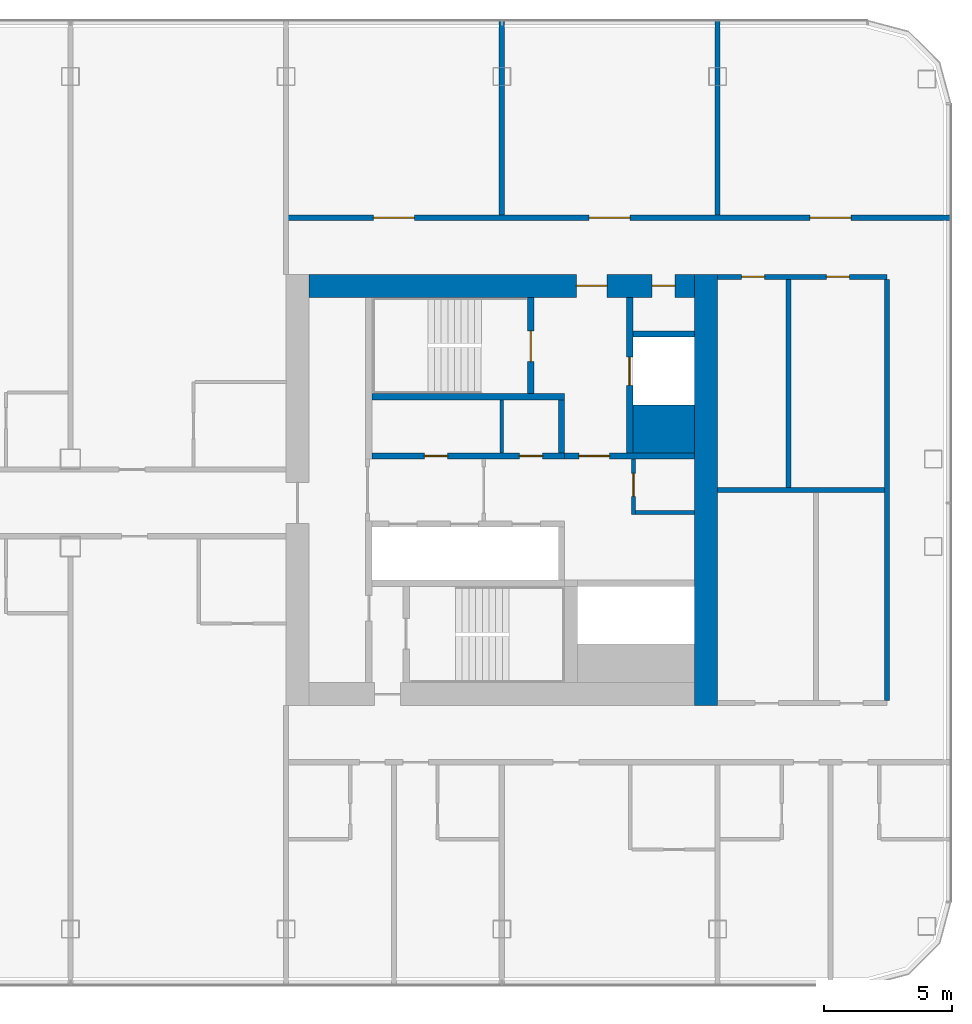
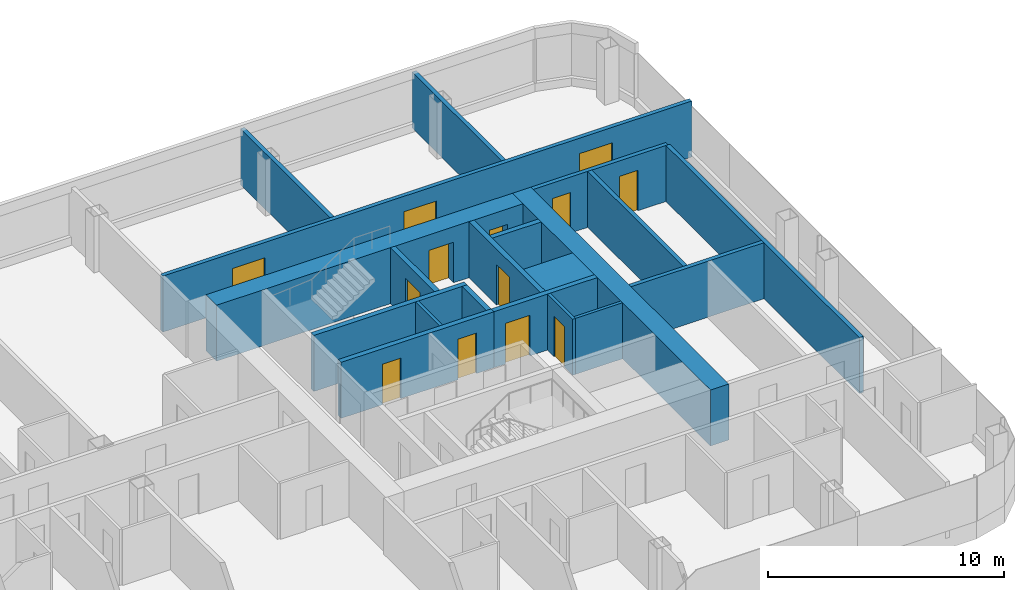
# One storey, part 17 of 26: 20 walls, 13 doors, 13 openings.
"""IFC4 building model written with IfcOpenShell, lengths in metres."""

from ifc_helpers import new_model, si_unit, direction, frame, frame_2d, origin, place, context, subcontext, project, spatial, rectangle, extrude, material, layer, layer_set, type_object, element, fill, save


model = new_model("IFC4")

# Units and contexts
model_context = context("Model", 3, precision=1e-05, world=origin(), true_north=direction((0.0, 1.0)))
body_context = subcontext(model_context, "Body", "Model", "MODEL_VIEW")
ifc_project = project(units=[si_unit("LENGTHUNIT", "METRE"), si_unit("AREAUNIT", "SQUARE_METRE"), si_unit("VOLUMEUNIT", "CUBIC_METRE"), si_unit("PLANEANGLEUNIT", "RADIAN"), si_unit("MASSUNIT", "GRAM", prefix="KILO")], contexts=[model_context])

# Site, building, storey
site_placement = place(None, origin())
site = spatial("IfcSite", under=ifc_project, at=site_placement, CompositionType="ELEMENT")
building_placement = place(site_placement, origin())
building = spatial("IfcBuilding", under=site, at=building_placement, Name="Hakoniwa Tower and Hamabe Station Hall", CompositionType="ELEMENT")
storey_placement = place(building_placement, frame((0.0, 0.0, 172.60009765625)))
storey = spatial("IfcBuildingStorey", under=building, at=storey_placement, Name="L49", CompositionType="ELEMENT", Elevation=172.60009765625)

# Wall, opening, door
ifc_material_1 = material(Name="Gypsum board partition")
ifc_layer_1 = layer(ifc_material_1, 0.14990234375)
ifc_layer_set_1 = layer_set([ifc_layer_1], Name="CORE PARTITION 150 EI 60")
wall_type_1 = type_object("IfcWallType", Name="CORE PARTITION 150 EI 60", PredefinedType="PARTITIONING", material=ifc_layer_set_1)
wall_1_placement = place(storey_placement, frame((30.324951171875, -0.949951171875, 0.0), z_axis=(0.0, 0.0, 1.0), x_axis=(0.0, 1.0, 0.0)))
wall_1 = element("IfcWall", 1, at=wall_1_placement, inside=storey, type_object=wall_type_1, Name="Core partition PW0 east", PredefinedType="PARTITIONING", context=body_context, shape_type="SweptSolid", body=[
    extrude(rectangle(XDim=2.14990234375, YDim=0.14990234375, at=frame_2d((1.074951171875, 0.0))), origin(), (0.0, 0.0, 1.0), 2.89990234375),
])
opening_1_placement = place(wall_1_placement, frame((0.699951171875, 0.0, 0.0)))
opening_1 = element("IfcOpeningElement", 2, at=opening_1_placement, cuts=wall_1, Name="Opening CD-E-RM1-9", PredefinedType="OPENING", context=body_context, shape_type="SweptSolid", body=[
    extrude(rectangle(XDim=0.89990234375, YDim=2.10009765625, at=frame_2d((0.449951171875, 1.050048828125))), frame((0.0, 0.0849609375, 0.0), z_axis=(0.0, -1.0, 0.0), x_axis=(1.0, 0.0, 0.0)), (0.0, 0.0, 1.0), 0.169921875),
])
ifc_material_2 = material(Name="Steel fire door", Category="steel")
door_type_1 = type_object("IfcDoorType", Name="CORE DOOR 900 FD30", OperationType="NOTDEFINED", PredefinedType="DOOR", material=ifc_material_2)
door_1_placement = place(opening_1_placement, origin())
door_1 = element("IfcDoor", 3, at=door_1_placement, inside=storey, type_object=door_type_1, Name="Store room door", OperationType="SINGLE_SWING_RIGHT", OverallHeight=2.10009765625, OverallWidth=0.89990234375, PredefinedType="DOOR", context=body_context, shape_type="SweptSolid", body=[
    extrude(rectangle(XDim=0.89990234375, YDim=2.10009765625, at=frame_2d((0.449951171875, 1.050048828125))), frame((0.0, 0.02490234375, 0.0), z_axis=(0.0, -1.0, 0.0), x_axis=(1.0, 0.0, 0.0)), (0.0, 0.0, 1.0), 0.050048828125),
])
fill(opening_1, door_1)

# Walls
wall_2_placement = place(storey_placement, frame((30.39990234375, -0.875, 0.0), z_axis=(0.0, 0.0, 1.0), x_axis=(1.0, 0.0, 0.0)))
element("IfcWall", 4, at=wall_2_placement, inside=storey, type_object=wall_type_1, Name="Core partition PS east", PredefinedType="PARTITIONING", context=body_context, shape_type="SweptSolid", body=[
    extrude(rectangle(XDim=2.300048828125, YDim=0.14990234375, at=frame_2d((1.14990234375, 0.0))), origin(), (0.0, 0.0, 1.0), 2.89990234375),
])
wall_3_placement = place(storey_placement, frame((25.199951171875, 1.449951171875, 0.0), z_axis=(0.0, 0.0, 1.0), x_axis=(0.0, 1.0, 0.0)))
element("IfcWall", 5, at=wall_3_placement, inside=storey, type_object=wall_type_1, Name="Core partition PFLR0 east", PredefinedType="PARTITIONING", context=body_context, shape_type="SweptSolid", body=[
    extrude(rectangle(XDim=2.050048828125, YDim=0.14990234375, at=frame_2d((1.02490234375, 0.0))), origin(), (0.0, 0.0, 1.0), 2.89990234375),
])
ifc_material_3 = material(Name="Concrete C66", Category="concrete")
ifc_layer_2 = layer(ifc_material_3, 0.89990234375)
ifc_layer_set_2 = layer_set([ifc_layer_2], Name="CORE WALL 900 C66")
wall_type_2 = type_object("IfcWallType", Name="CORE WALL 900 C66", PredefinedType="SHEAR", material=ifc_layer_set_2)
wall_4_placement = place(storey_placement, frame((33.14990234375, -8.39990234375, 0.0), z_axis=(0.0, 0.0, 1.0), x_axis=(0.0, 1.0, 0.0)))
element("IfcWall", 6, at=wall_4_placement, inside=storey, type_object=wall_type_2, Name="Core wall OUTER east", PredefinedType="SHEAR", context=body_context, shape_type="SweptSolid", body=[
    extrude(rectangle(XDim=16.7998046875, YDim=0.89990234375, at=frame_2d((8.39990234375, 0.0))), origin(), (0.0, 0.0, 1.0), 2.89990234375),
])

# Wall, openings, doors
wall_5_placement = place(storey_placement, frame((17.699951171875, 7.949951171875, 0.0), z_axis=(0.0, 0.0, 1.0), x_axis=(1.0, 0.0, 0.0)))
wall_5 = element("IfcWall", 7, at=wall_5_placement, inside=storey, type_object=wall_type_2, Name="Core wall NORTH east", PredefinedType="SHEAR", context=body_context, shape_type="SweptSolid", body=[
    extrude(rectangle(XDim=15.0, YDim=0.89990234375, at=frame_2d((7.5, 0.0))), origin(), (0.0, 0.0, 1.0), 2.89990234375),
])
opening_2_placement = place(wall_5_placement, frame((10.39990234375, 0.0, 0.0)))
opening_2 = element("IfcOpeningElement", 8, at=opening_2_placement, cuts=wall_5, Name="Opening CD-E-FN1-12", PredefinedType="OPENING", context=body_context, shape_type="SweptSolid", body=[
    extrude(rectangle(XDim=1.199951171875, YDim=2.10009765625, at=frame_2d((0.60009765625, 1.050048828125))), frame((0.0, 0.4599609375, 0.0), z_axis=(0.0, -1.0, 0.0), x_axis=(1.0, 0.0, 0.0)), (0.0, 0.0, 1.0), 0.919921875),
])
opening_3_placement = place(wall_5_placement, frame((13.35009765625, 0.0, 0.0)))
opening_3 = element("IfcOpeningElement", 9, at=opening_3_placement, cuts=wall_5, Name="Opening CD-E-FN2-9", PredefinedType="OPENING", context=body_context, shape_type="SweptSolid", body=[
    extrude(rectangle(XDim=0.89990234375, YDim=2.10009765625, at=frame_2d((0.449951171875, 1.050048828125))), frame((0.0, 0.4599609375, 0.0), z_axis=(0.0, -1.0, 0.0), x_axis=(1.0, 0.0, 0.0)), (0.0, 0.0, 1.0), 0.919921875),
])
ifc_material_4 = material(Name="Steel fire door", Category="steel")
door_type_2 = type_object("IfcDoorType", Name="CORE DOOR 1200 FD60", OperationType="DOUBLE_DOOR_SINGLE_SWING", PredefinedType="DOOR", material=ifc_material_4)
door_2_placement = place(opening_2_placement, origin())
door_2 = element("IfcDoor", 10, at=door_2_placement, inside=storey, type_object=door_type_2, Name="Stair vestibule door to the fire-fighting lobby", OperationType="DOUBLE_DOOR_SINGLE_SWING", OverallHeight=2.10009765625, OverallWidth=1.199951171875, PredefinedType="DOOR", context=body_context, shape_type="SweptSolid", body=[
    extrude(rectangle(XDim=1.199951171875, YDim=2.10009765625, at=frame_2d((0.60009765625, 1.050048828125))), frame((0.0, 0.02490234375, 0.0), z_axis=(0.0, -1.0, 0.0), x_axis=(1.0, 0.0, 0.0)), (0.0, 0.0, 1.0), 0.050048828125),
])
fill(opening_2, door_2)
door_3_placement = place(opening_3_placement, origin())
door_3 = element("IfcDoor", 11, at=door_3_placement, inside=storey, type_object=door_type_1, Name="Riser access door", OperationType="SINGLE_SWING_LEFT", OverallHeight=2.10009765625, OverallWidth=0.89990234375, PredefinedType="DOOR", context=body_context, shape_type="SweptSolid", body=[
    extrude(rectangle(XDim=0.89990234375, YDim=2.10009765625, at=frame_2d((0.449951171875, 1.050048828125))), frame((0.0, 0.02490234375, 0.0), z_axis=(0.0, -1.0, 0.0), x_axis=(1.0, 0.0, 0.0)), (0.0, 0.0, 1.0), 0.050048828125),
])
fill(opening_3, door_3)

# Wall
ifc_material_5 = material(Name="Concrete C66", Category="concrete")
ifc_layer_3 = layer(ifc_material_5, 1.85009765625)
ifc_layer_set_3 = layer_set([ifc_layer_3], Name="CORE WEB WALL 1850 C66")
wall_type_3 = type_object("IfcWallType", Name="CORE WEB WALL 1850 C66", PredefinedType="SHEAR", material=ifc_layer_set_3)
wall_6_placement = place(storey_placement, frame((30.300048828125, 2.375, 0.0), z_axis=(0.0, 0.0, 1.0), x_axis=(1.0, 0.0, 0.0)))
element("IfcWall", 12, at=wall_6_placement, inside=storey, type_object=wall_type_3, Name="Core wall CA east", PredefinedType="SHEAR", context=body_context, shape_type="SweptSolid", body=[
    extrude(rectangle(XDim=2.39990234375, YDim=1.85009765625, at=frame_2d((1.199951171875, 0.0))), origin(), (0.0, 0.0, 1.0), 2.89990234375),
])

# Wall, openings, doors
ifc_material_6 = material(Name="Concrete C66", Category="concrete")
ifc_layer_4 = layer(ifc_material_6, 0.25)
ifc_layer_set_4 = layer_set([ifc_layer_4], Name="CORE WEB WALL 250 C66")
wall_type_4 = type_object("IfcWallType", Name="CORE WEB WALL 250 C66", PredefinedType="SHEAR", material=ifc_layer_set_4)
wall_7_placement = place(storey_placement, frame((20.14990234375, 1.324951171875, 0.0), z_axis=(0.0, 0.0, 1.0), x_axis=(1.0, 0.0, 0.0)))
wall_7 = element("IfcWall", 13, at=wall_7_placement, inside=storey, type_object=wall_type_4, Name="Core wall NF east", PredefinedType="SHEAR", context=body_context, shape_type="SweptSolid", body=[
    extrude(rectangle(XDim=7.5, YDim=0.25, at=frame_2d((3.75, 0.0))), origin(), (0.0, 0.0, 1.0), 2.89990234375),
])
opening_4_placement = place(wall_7_placement, frame((2.03759765625, 0.0, 0.0)))
opening_4 = element("IfcOpeningElement", 14, at=opening_4_placement, cuts=wall_7, Name="Opening CD-E-FRLR0-9", PredefinedType="OPENING", context=body_context, shape_type="SweptSolid", body=[
    extrude(rectangle(XDim=0.89990234375, YDim=2.10009765625, at=frame_2d((0.449951171875, 1.050048828125))), frame((0.0, 0.135009765625, 0.0), z_axis=(0.0, -1.0, 0.0), x_axis=(1.0, 0.0, 0.0)), (0.0, 0.0, 1.0), 0.27001953125),
])
opening_5_placement = place(wall_7_placement, frame((5.737548828125, 0.0, 0.0)))
opening_5 = element("IfcOpeningElement", 15, at=opening_5_placement, cuts=wall_7, Name="Opening CD-E-FRLR1-9", PredefinedType="OPENING", context=body_context, shape_type="SweptSolid", body=[
    extrude(rectangle(XDim=0.89990234375, YDim=2.10009765625, at=frame_2d((0.449951171875, 1.050048828125))), frame((0.0, 0.135009765625, 0.0), z_axis=(0.0, -1.0, 0.0), x_axis=(1.0, 0.0, 0.0)), (0.0, 0.0, 1.0), 0.27001953125),
])
door_4_placement = place(opening_4_placement, origin())
door_4 = element("IfcDoor", 16, at=door_4_placement, inside=storey, type_object=door_type_1, Name="Store room door", OperationType="SINGLE_SWING_LEFT", OverallHeight=2.10009765625, OverallWidth=0.89990234375, PredefinedType="DOOR", context=body_context, shape_type="SweptSolid", body=[
    extrude(rectangle(XDim=0.89990234375, YDim=2.10009765625, at=frame_2d((0.449951171875, 1.050048828125))), frame((0.0, 0.02490234375, 0.0), z_axis=(0.0, -1.0, 0.0), x_axis=(1.0, 0.0, 0.0)), (0.0, 0.0, 1.0), 0.050048828125),
])
fill(opening_4, door_4)
door_5_placement = place(opening_5_placement, origin())
door_5 = element("IfcDoor", 17, at=door_5_placement, inside=storey, type_object=door_type_1, Name="Store room door", OperationType="SINGLE_SWING_RIGHT", OverallHeight=2.10009765625, OverallWidth=0.89990234375, PredefinedType="DOOR", context=body_context, shape_type="SweptSolid", body=[
    extrude(rectangle(XDim=0.89990234375, YDim=2.10009765625, at=frame_2d((0.449951171875, 1.050048828125))), frame((0.0, 0.02490234375, 0.0), z_axis=(0.0, -1.0, 0.0), x_axis=(1.0, 0.0, 0.0)), (0.0, 0.0, 1.0), 0.050048828125),
])
fill(opening_5, door_5)

# Walls
wall_8_placement = place(storey_placement, frame((27.52490234375, 1.449951171875, 0.0), z_axis=(0.0, 0.0, 1.0), x_axis=(0.0, 1.0, 0.0)))
element("IfcWall", 18, at=wall_8_placement, inside=storey, type_object=wall_type_4, Name="Core wall NE east", PredefinedType="SHEAR", context=body_context, shape_type="SweptSolid", body=[
    extrude(rectangle(XDim=2.050048828125, YDim=0.25, at=frame_2d((1.02490234375, 0.0))), origin(), (0.0, 0.0, 1.0), 2.89990234375),
])
wall_9_placement = place(storey_placement, frame((20.14990234375, 3.625, 0.0), z_axis=(0.0, 0.0, 1.0), x_axis=(1.0, 0.0, 0.0)))
element("IfcWall", 19, at=wall_9_placement, inside=storey, type_object=wall_type_4, Name="Core wall NR east", PredefinedType="SHEAR", context=body_context, shape_type="SweptSolid", body=[
    extrude(rectangle(XDim=7.5, YDim=0.25, at=frame_2d((3.75, 0.0))), origin(), (0.0, 0.0, 1.0), 2.89990234375),
])

# Wall, opening, door
wall_10_placement = place(storey_placement, frame((26.324951171875, 3.75, 0.0), z_axis=(0.0, 0.0, 1.0), x_axis=(0.0, 1.0, 0.0)))
wall_10 = element("IfcWall", 20, at=wall_10_placement, inside=storey, type_object=wall_type_4, Name="Core wall NSE east", PredefinedType="SHEAR", context=body_context, shape_type="SweptSolid", body=[
    extrude(rectangle(XDim=3.75, YDim=0.25, at=frame_2d((1.875, 0.0))), origin(), (0.0, 0.0, 1.0), 2.89990234375),
])
opening_6_placement = place(wall_10_placement, frame((1.25, 0.0, 0.0)))
opening_6 = element("IfcOpeningElement", 21, at=opening_6_placement, cuts=wall_10, Name="Opening CD-E-SN-12", PredefinedType="OPENING", context=body_context, shape_type="SweptSolid", body=[
    extrude(rectangle(XDim=1.199951171875, YDim=2.10009765625, at=frame_2d((0.60009765625, 1.050048828125))), frame((0.0, 0.135009765625, 0.0), z_axis=(0.0, -1.0, 0.0), x_axis=(1.0, 0.0, 0.0)), (0.0, 0.0, 1.0), 0.27001953125),
])
door_6_placement = place(opening_6_placement, origin())
door_6 = element("IfcDoor", 22, at=door_6_placement, inside=storey, type_object=door_type_2, Name="Escape stair door", OperationType="DOUBLE_DOOR_SINGLE_SWING", OverallHeight=2.10009765625, OverallWidth=1.199951171875, PredefinedType="DOOR", context=body_context, shape_type="SweptSolid", body=[
    extrude(rectangle(XDim=1.199951171875, YDim=2.10009765625, at=frame_2d((0.60009765625, 1.050048828125))), frame((0.0, 0.02490234375, 0.0), z_axis=(0.0, -1.0, 0.0), x_axis=(1.0, 0.0, 0.0)), (0.0, 0.0, 1.0), 0.050048828125),
])
fill(opening_6, door_6)

wall_11_placement = place(storey_placement, frame((27.64990234375, 1.324951171875, 0.0), z_axis=(0.0, 0.0, 1.0), x_axis=(1.0, 0.0, 0.0)))
wall_11 = element("IfcWall", 23, at=wall_11_placement, inside=storey, type_object=wall_type_4, Name="Core wall ELN east", PredefinedType="SHEAR", context=body_context, shape_type="SweptSolid", body=[
    extrude(rectangle(XDim=5.050048828125, YDim=0.25, at=frame_2d((2.52490234375, 0.0))), origin(), (0.0, 0.0, 1.0), 2.89990234375),
])
opening_7_placement = place(wall_11_placement, frame((0.550048828125, 0.0, 0.0)))
opening_7 = element("IfcOpeningElement", 24, at=opening_7_placement, cuts=wall_11, Name="Opening CD-E-FL-12", PredefinedType="OPENING", context=body_context, shape_type="SweptSolid", body=[
    extrude(rectangle(XDim=1.199951171875, YDim=2.10009765625, at=frame_2d((0.60009765625, 1.050048828125))), frame((0.0, 0.135009765625, 0.0), z_axis=(0.0, -1.0, 0.0), x_axis=(1.0, 0.0, 0.0)), (0.0, 0.0, 1.0), 0.27001953125),
])
door_7_placement = place(opening_7_placement, origin())
door_7 = element("IfcDoor", 25, at=door_7_placement, inside=storey, type_object=door_type_2, Name="Stair vestibule door to the fire-fighting lobby", OperationType="DOUBLE_DOOR_SINGLE_SWING", OverallHeight=2.10009765625, OverallWidth=1.199951171875, PredefinedType="DOOR", context=body_context, shape_type="SweptSolid", body=[
    extrude(rectangle(XDim=1.199951171875, YDim=2.10009765625, at=frame_2d((0.60009765625, 1.050048828125))), frame((0.0, 0.02490234375, 0.0), z_axis=(0.0, -1.0, 0.0), x_axis=(1.0, 0.0, 0.0)), (0.0, 0.0, 1.0), 0.050048828125),
])
fill(opening_7, door_7)

wall_12_placement = place(storey_placement, frame((30.175048828125, 1.449951171875, 0.0), z_axis=(0.0, 0.0, 1.0), x_axis=(0.0, 1.0, 0.0)))
wall_12 = element("IfcWall", 26, at=wall_12_placement, inside=storey, type_object=wall_type_4, Name="Core wall FFF east", PredefinedType="SHEAR", context=body_context, shape_type="SweptSolid", body=[
    extrude(rectangle(XDim=6.050048828125, YDim=0.25, at=frame_2d((3.02490234375, 0.0))), origin(), (0.0, 0.0, 1.0), 2.89990234375),
])
opening_8_placement = place(wall_12_placement, frame((2.625, 0.0, 0.0)))
opening_8 = element("IfcOpeningElement", 27, at=opening_8_placement, cuts=wall_12, Name="Opening LD-FF2", PredefinedType="OPENING", context=body_context, shape_type="SweptSolid", body=[
    extrude(rectangle(XDim=1.10009765625, YDim=2.10009765625, at=frame_2d((0.550048828125, 1.050048828125))), frame((0.0, 0.135009765625, 0.0), z_axis=(0.0, -1.0, 0.0), x_axis=(1.0, 0.0, 0.0)), (0.0, 0.0, 1.0), 0.27001953125),
])
ifc_material_7 = material(Name="Stainless steel SUS304", Category="steel")
door_type_3 = type_object("IfcDoorType", Name="LIFT LANDING DOOR 1100 FD60", OperationType="DOUBLE_DOOR_SLIDING", PredefinedType="DOOR", material=ifc_material_7)
door_8_placement = place(opening_8_placement, origin())
door_8 = element("IfcDoor", 28, at=door_8_placement, inside=storey, type_object=door_type_3, Name="Lift landing door FF2 L49", OperationType="DOUBLE_DOOR_SLIDING", OverallHeight=2.10009765625, OverallWidth=1.10009765625, PredefinedType="DOOR", context=body_context, shape_type="SweptSolid", body=[
    extrude(rectangle(XDim=1.10009765625, YDim=2.10009765625, at=frame_2d((0.550048828125, 1.050048828125))), frame((0.0, 0.02490234375, 0.0), z_axis=(0.0, -1.0, 0.0), x_axis=(1.0, 0.0, 0.0)), (0.0, 0.0, 1.0), 0.050048828125),
])
fill(opening_8, door_8)

# Wall
wall_13_placement = place(storey_placement, frame((30.300048828125, 6.074951171875, 0.0), z_axis=(0.0, 0.0, 1.0), x_axis=(1.0, 0.0, 0.0)))
element("IfcWall", 29, at=wall_13_placement, inside=storey, type_object=wall_type_4, Name="Core wall C2 east", PredefinedType="SHEAR", context=body_context, shape_type="SweptSolid", body=[
    extrude(rectangle(XDim=2.39990234375, YDim=0.25, at=frame_2d((1.199951171875, 0.0))), origin(), (0.0, 0.0, 1.0), 2.89990234375),
])

# Wall, openings, doors
ifc_material_8 = material(Name="Fire-rated gypsum board partition", Category="gypsum")
ifc_layer_5 = layer(ifc_material_8, 0.199951171875)
ifc_layer_set_5 = layer_set([ifc_layer_5], Name="Corridor Wall 200")
wall_type_5 = type_object("IfcWallType", Name="Corridor Wall 200", PredefinedType="PARTITIONING", material=ifc_layer_set_5)
wall_14_placement = place(storey_placement, frame((33.60009765625, 8.300048828125, 0.0), z_axis=(0.0, 0.0, 1.0), x_axis=(1.0, 0.0, 0.0)))
wall_14 = element("IfcWall", 30, at=wall_14_placement, inside=storey, type_object=wall_type_5, Name="GW-L49-030", PredefinedType="PARTITIONING", context=body_context, shape_type="SweptSolid", body=[
    extrude(rectangle(XDim=6.599853515625, YDim=0.199951171875, at=frame_2d((3.2998046875, 0.0))), origin(), (0.0, 0.0, 1.0), 2.89990234375),
])
opening_9_placement = place(wall_14_placement, frame((0.93505859375, 0.0, 0.0)))
opening_9 = element("IfcOpeningElement", 31, at=opening_9_placement, cuts=wall_14, Name="Opening GD-G3D2-33", PredefinedType="OPENING", context=body_context, shape_type="SweptSolid", body=[
    extrude(rectangle(XDim=0.89990234375, YDim=2.10009765625, at=frame_2d((0.449951171875, 1.050048828125))), frame((0.0, 0.10986328125, 0.0), z_axis=(0.0, -1.0, 0.0), x_axis=(1.0, 0.0, 0.0)), (0.0, 0.0, 1.0), 0.219970703125),
])
opening_10_placement = place(wall_14_placement, frame((4.235107421875, 0.0, 0.0)))
opening_10 = element("IfcOpeningElement", 32, at=opening_10_placement, cuts=wall_14, Name="Opening GD-G3D2-34", PredefinedType="OPENING", context=body_context, shape_type="SweptSolid", body=[
    extrude(rectangle(XDim=0.89990234375, YDim=2.10009765625, at=frame_2d((0.449951171875, 1.050048828125))), frame((0.0, 0.10986328125, 0.0), z_axis=(0.0, -1.0, 0.0), x_axis=(1.0, 0.0, 0.0)), (0.0, 0.0, 1.0), 0.219970703125),
])
ifc_material_9 = material(Name="Timber door leaf", Category="wood")
door_type_4 = type_object("IfcDoorType", Name="Service Door 900", OperationType="SINGLE_SWING_LEFT", PredefinedType="DOOR", material=ifc_material_9)
door_9_placement = place(opening_9_placement, origin())
door_9 = element("IfcDoor", 33, at=door_9_placement, inside=storey, type_object=door_type_4, Name="Door GD-G3D2-33", OperationType="SINGLE_SWING_RIGHT", OverallHeight=2.10009765625, OverallWidth=0.89990234375, PredefinedType="DOOR", context=body_context, shape_type="SweptSolid", body=[
    extrude(rectangle(XDim=0.89990234375, YDim=2.10009765625, at=frame_2d((0.449951171875, 1.050048828125))), frame((0.0, 0.02490234375, 0.0), z_axis=(0.0, -1.0, 0.0), x_axis=(1.0, 0.0, 0.0)), (0.0, 0.0, 1.0), 0.050048828125),
])
fill(opening_9, door_9)
door_10_placement = place(opening_10_placement, origin())
door_10 = element("IfcDoor", 34, at=door_10_placement, inside=storey, type_object=door_type_4, Name="Door GD-G3D2-34", OperationType="SINGLE_SWING_LEFT", OverallHeight=2.10009765625, OverallWidth=0.89990234375, PredefinedType="DOOR", context=body_context, shape_type="SweptSolid", body=[
    extrude(rectangle(XDim=0.89990234375, YDim=2.10009765625, at=frame_2d((0.449951171875, 1.050048828125))), frame((0.0, 0.02490234375, 0.0), z_axis=(0.0, -1.0, 0.0), x_axis=(1.0, 0.0, 0.0)), (0.0, 0.0, 1.0), 0.050048828125),
])
fill(opening_10, door_10)

wall_15_placement = place(storey_placement, frame((16.800048828125, 10.60009765625, 0.0), z_axis=(0.0, 0.0, 1.0), x_axis=(1.0, 0.0, 0.0)))
wall_15 = element("IfcWall", 35, at=wall_15_placement, inside=storey, type_object=wall_type_5, Name="GW-L49-032", PredefinedType="PARTITIONING", context=body_context, shape_type="SweptSolid", body=[
    extrude(rectangle(XDim=25.89990234375, YDim=0.199951171875, at=frame_2d((12.949951171875, 0.0))), origin(), (0.0, 0.0, 1.0), 2.89990234375),
])
opening_11_placement = place(wall_15_placement, frame((3.39990234375, 0.0, 0.0)))
opening_11 = element("IfcOpeningElement", 36, at=opening_11_placement, cuts=wall_15, Name="Opening GD-G3D2-39", PredefinedType="OPENING", context=body_context, shape_type="SweptSolid", body=[
    extrude(rectangle(XDim=1.60009765625, YDim=2.10009765625, at=frame_2d((0.800048828125, 1.050048828125))), frame((0.0, 0.10986328125, 0.0), z_axis=(0.0, -1.0, 0.0), x_axis=(1.0, 0.0, 0.0)), (0.0, 0.0, 1.0), 0.219970703125),
])
opening_12_placement = place(wall_15_placement, frame((11.800048828125, 0.0, 0.0)))
opening_12 = element("IfcOpeningElement", 37, at=opening_12_placement, cuts=wall_15, Name="Opening GD-G3D2-40", PredefinedType="OPENING", context=body_context, shape_type="SweptSolid", body=[
    extrude(rectangle(XDim=1.60009765625, YDim=2.10009765625, at=frame_2d((0.800048828125, 1.050048828125))), frame((0.0, 0.10986328125, 0.0), z_axis=(0.0, -1.0, 0.0), x_axis=(1.0, 0.0, 0.0)), (0.0, 0.0, 1.0), 0.219970703125),
])
opening_13_placement = place(wall_15_placement, frame((20.39990234375, 0.0, 0.0)))
opening_13 = element("IfcOpeningElement", 38, at=opening_13_placement, cuts=wall_15, Name="Opening GD-G3D2-41", PredefinedType="OPENING", context=body_context, shape_type="SweptSolid", body=[
    extrude(rectangle(XDim=1.60009765625, YDim=2.10009765625, at=frame_2d((0.800048828125, 1.050048828125))), frame((0.0, 0.10986328125, 0.0), z_axis=(0.0, -1.0, 0.0), x_axis=(1.0, 0.0, 0.0)), (0.0, 0.0, 1.0), 0.219970703125),
])
ifc_material_10 = material(Name="Timber door leaf", Category="wood")
door_type_5 = type_object("IfcDoorType", Name="Double Door 1600", OperationType="DOUBLE_DOOR_SINGLE_SWING", PredefinedType="DOOR", material=ifc_material_10)
door_11_placement = place(opening_11_placement, origin())
door_11 = element("IfcDoor", 39, at=door_11_placement, inside=storey, type_object=door_type_5, Name="Door GD-G3D2-39", OperationType="DOUBLE_DOOR_SINGLE_SWING", OverallHeight=2.10009765625, OverallWidth=1.60009765625, PredefinedType="DOOR", context=body_context, shape_type="SweptSolid", body=[
    extrude(rectangle(XDim=1.60009765625, YDim=2.10009765625, at=frame_2d((0.800048828125, 1.050048828125))), frame((0.0, 0.02490234375, 0.0), z_axis=(0.0, -1.0, 0.0), x_axis=(1.0, 0.0, 0.0)), (0.0, 0.0, 1.0), 0.050048828125),
])
fill(opening_11, door_11)
door_12_placement = place(opening_12_placement, origin())
door_12 = element("IfcDoor", 40, at=door_12_placement, inside=storey, type_object=door_type_5, Name="Door GD-G3D2-40", OperationType="DOUBLE_DOOR_SINGLE_SWING", OverallHeight=2.10009765625, OverallWidth=1.60009765625, PredefinedType="DOOR", context=body_context, shape_type="SweptSolid", body=[
    extrude(rectangle(XDim=1.60009765625, YDim=2.10009765625, at=frame_2d((0.800048828125, 1.050048828125))), frame((0.0, 0.02490234375, 0.0), z_axis=(0.0, -1.0, 0.0), x_axis=(1.0, 0.0, 0.0)), (0.0, 0.0, 1.0), 0.050048828125),
])
fill(opening_12, door_12)
door_13_placement = place(opening_13_placement, origin())
door_13 = element("IfcDoor", 41, at=door_13_placement, inside=storey, type_object=door_type_5, Name="Door GD-G3D2-41", OperationType="DOUBLE_DOOR_SINGLE_SWING", OverallHeight=2.10009765625, OverallWidth=1.60009765625, PredefinedType="DOOR", context=body_context, shape_type="SweptSolid", body=[
    extrude(rectangle(XDim=1.60009765625, YDim=2.10009765625, at=frame_2d((0.800048828125, 1.050048828125))), frame((0.0, 0.02490234375, 0.0), z_axis=(0.0, -1.0, 0.0), x_axis=(1.0, 0.0, 0.0)), (0.0, 0.0, 1.0), 0.050048828125),
])
fill(opening_13, door_13)

# Walls
ifc_material_11 = material(Name="Fire-rated gypsum board partition", Category="gypsum")
ifc_layer_6 = layer(ifc_material_11, 0.199951171875)
ifc_layer_set_6 = layer_set([ifc_layer_6], Name="Party Wall 200")
wall_type_6 = type_object("IfcWallType", Name="Party Wall 200", PredefinedType="PARTITIONING", material=ifc_layer_set_6)
wall_16_placement = place(storey_placement, frame((33.60009765625, 0.0, 0.0), z_axis=(0.0, 0.0, 1.0), x_axis=(1.0, 0.0, 0.0)))
element("IfcWall", 42, at=wall_16_placement, inside=storey, type_object=wall_type_6, Name="GW-L49-021", PredefinedType="PARTITIONING", context=body_context, shape_type="SweptSolid", body=[
    extrude(rectangle(XDim=6.5, YDim=0.199951171875, at=frame_2d((3.25, 0.0))), origin(), (0.0, 0.0, 1.0), 2.89990234375),
])
for number, where, z_axis, x_axis, name in (
    (43, (25.199951171875, 10.699951171875, 0.0), (0.0, 0.0, 1.0), (0.0, 1.0, 0.0), "GW-L49-075"),
    (44, (33.60009765625, 10.699951171875, 0.0), (0.0, 0.0, 1.0), (0.0, 1.0, 0.0), "GW-L49-078"),
):
    element("IfcWall", number, at=place(storey_placement, frame(where, z_axis=z_axis, x_axis=x_axis)), inside=storey, type_object=wall_type_6, Name=name, PredefinedType="PARTITIONING", context=body_context, shape_type="SweptSolid", body=[
        extrude(rectangle(XDim=7.60009765625, YDim=0.199951171875, at=frame_2d((3.800048828125, 0.0))), origin(), (0.0, 0.0, 1.0), 2.89990234375),
    ])
wall_17_placement = place(storey_placement, frame((36.3701171875, 0.0, 0.0), z_axis=(0.0, 0.0, 1.0), x_axis=(0.0, 1.0, 0.0)))
element("IfcWall", 45, at=wall_17_placement, inside=storey, type_object=wall_type_6, Name="GW-L49-080", PredefinedType="PARTITIONING", context=body_context, shape_type="SweptSolid", body=[
    extrude(rectangle(XDim=8.199951171875, YDim=0.199951171875, at=frame_2d((4.10009765625, 0.0))), origin(), (0.0, 0.0, 1.0), 2.89990234375),
])
wall_18_placement = place(storey_placement, frame((40.199951171875, -8.199951171875, 0.0), z_axis=(0.0, 0.0, 1.0), x_axis=(0.0, 1.0, 0.0)))
element("IfcWall", 46, at=wall_18_placement, inside=storey, type_object=wall_type_6, Name="GW-L49-084", PredefinedType="PARTITIONING", context=body_context, shape_type="SweptSolid", body=[
    extrude(rectangle(XDim=16.39990234375, YDim=0.199951171875, at=frame_2d((8.199951171875, 0.0))), origin(), (0.0, 0.0, 1.0), 2.89990234375),
])

save(model, "model.ifc")
